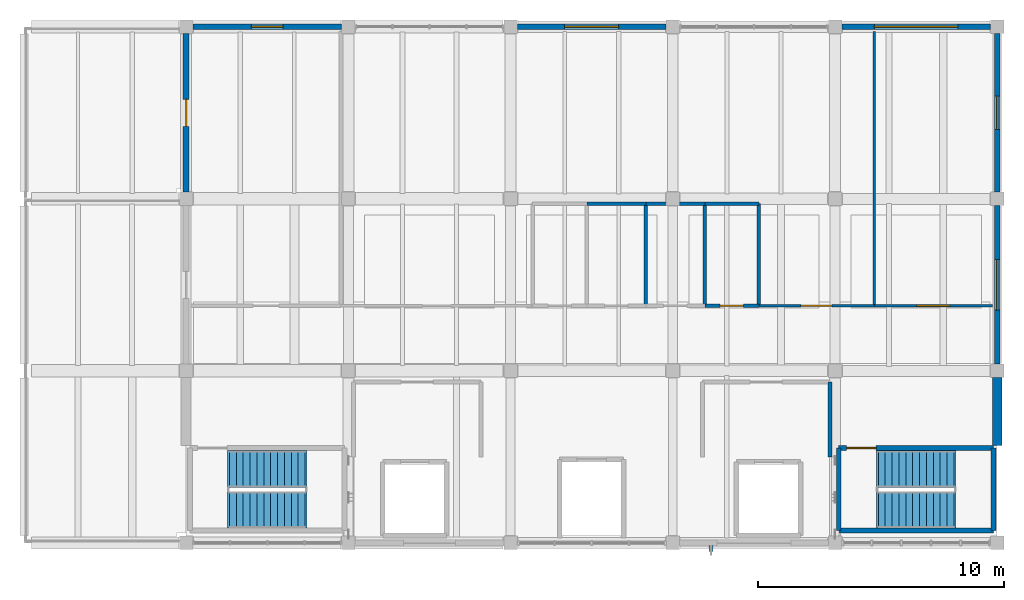
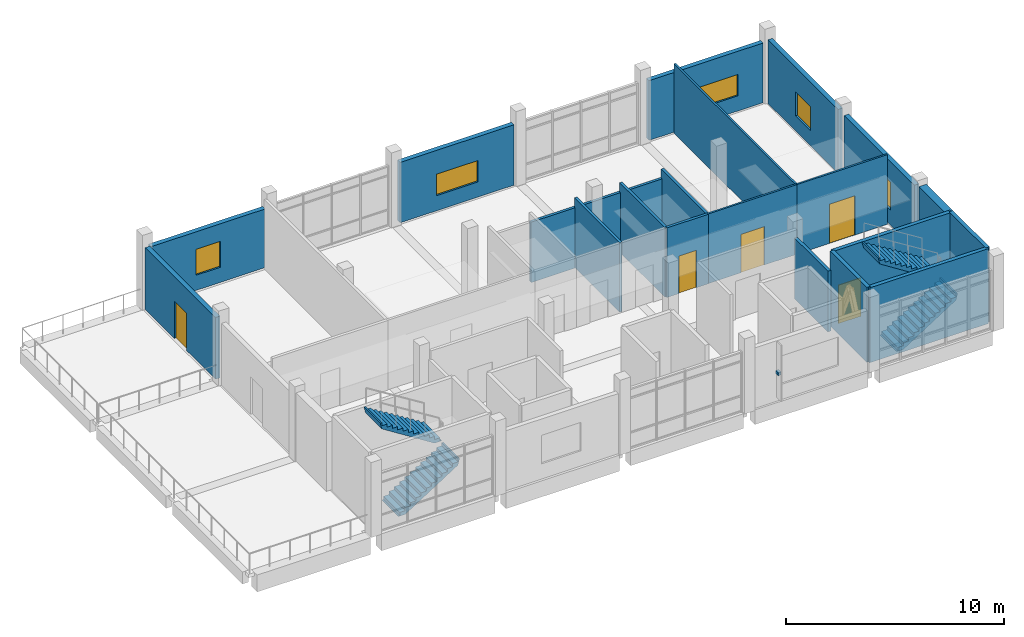
# One storey, part 9 of 12: 22 walls, 5 doors, 5 windows, 4 stair flights, 1 discrete accessory, 10 openings, 2 elements without a shape of their own.
"""IFC4 building model written with IfcOpenShell, lengths in metres."""

from ifc_helpers import new_model, si_unit, direction, frame, frame_2d, origin, origin_2d, place, context, subcontext, project, spatial, polyline, rectangle, outline, extrude, material, layer, layer_set, type_object, element, fill, aggregate, save


model = new_model("IFC4")

# Units and contexts
model_context = context("Model", 3, precision=1e-05, world=origin(), true_north=direction((0.0, 1.0)))
body_context = subcontext(model_context, "Body", "Model", "MODEL_VIEW")
ifc_project = project(units=[si_unit("LENGTHUNIT", "METRE"), si_unit("AREAUNIT", "SQUARE_METRE"), si_unit("VOLUMEUNIT", "CUBIC_METRE"), si_unit("PLANEANGLEUNIT", "RADIAN"), si_unit("MASSUNIT", "GRAM", prefix="KILO")], contexts=[model_context])

# Site, building, storey
site_placement = place(None, origin())
site = spatial("IfcSite", under=ifc_project, at=site_placement, CompositionType="ELEMENT")
building_placement = place(site_placement, origin())
building = spatial("IfcBuilding", under=site, at=building_placement, Name="Ciguamira Faculty of Natural Sciences", CompositionType="ELEMENT")
storey_placement = place(building_placement, frame((0.0, 0.0, 37.800048828125)))
storey = spatial("IfcBuildingStorey", under=building, at=storey_placement, Name="L09", CompositionType="ELEMENT", Elevation=37.800048828125)

# Wall, opening, window
ifc_material_1 = material(Name="Precast concrete C40/50", Category="concrete")
ifc_layer_1 = layer(ifc_material_1, 0.239990234375, Name="Precast concrete C40/50")
ifc_layer_set_1 = layer_set([ifc_layer_1], Name="Precast concrete C40/50")
wall_type_1 = type_object("IfcWallType", Name="ExtWall_EW-02_240", PredefinedType="SOLIDWALL", material=ifc_layer_set_1)
wall_1_placement = place(storey_placement, frame((70.77490234375, 115.0, 0.0), z_axis=(0.0, 0.0, 1.0), x_axis=(1.0, 0.0, 0.0)))
wall_1 = element("IfcWall", 1, at=wall_1_placement, inside=storey, type_object=wall_type_1, Name="L09 exterior wall 0387", PredefinedType="SOLIDWALL", context=body_context, shape_type="SweptSolid", body=[
    extrude(rectangle(XDim=6.050048828125, YDim=0.239990234375, at=frame_2d((3.02490234375, 0.0))), origin(), (0.0, 0.0, 1.0), 3.284912109375),
])
opening_1_placement = place(wall_1_placement, frame((2.375, 0.0, 0.85009765625)))
opening_1 = element("IfcOpeningElement", 2, at=opening_1_placement, cuts=wall_1, Name="Opening WT-28", PredefinedType="OPENING", context=body_context, shape_type="SweptSolid", body=[
    extrude(rectangle(XDim=1.300048828125, YDim=1.449951171875, at=frame_2d((0.64990234375, 0.72509765625))), frame((0.0, 0.1298828125, 0.0), z_axis=(0.0, -1.0, 0.0), x_axis=(1.0, 0.0, 0.0)), (0.0, 0.0, 1.0), 0.260009765625),
])
ifc_material_2 = material(Name="Hurricane laminated solar glass", Category="glass")
window_type_1 = type_object("IfcWindowType", Name="Window_WT-28_1300x1450", PartitioningType="DOUBLE_PANEL_VERTICAL", PredefinedType="WINDOW", material=ifc_material_2)
window_1_placement = place(opening_1_placement, origin())
window_1 = element("IfcWindow", 3, at=window_1_placement, inside=storey, type_object=window_type_1, Name="L09 facade window 0273", OverallHeight=1.449951171875, OverallWidth=1.300048828125, PartitioningType="SINGLE_PANEL", PredefinedType="WINDOW", context=body_context, shape_type="SweptSolid", body=[
    extrude(rectangle(XDim=1.300048828125, YDim=1.449951171875, at=frame_2d((0.64990234375, 0.72509765625))), frame((0.0, 0.030029296875, 0.0), z_axis=(0.0, -1.0, 0.0), x_axis=(1.0, 0.0, 0.0)), (0.0, 0.0, 1.0), 0.06005859375),
])
fill(opening_1, window_1)

wall_2_placement = place(storey_placement, frame((83.97509765625, 115.0, 0.0), z_axis=(0.0, 0.0, 1.0), x_axis=(1.0, 0.0, 0.0)))
wall_2 = element("IfcWall", 4, at=wall_2_placement, inside=storey, type_object=wall_type_1, Name="L09 exterior wall 0388", PredefinedType="SOLIDWALL", context=body_context, shape_type="SweptSolid", body=[
    extrude(rectangle(XDim=6.0498046875, YDim=0.239990234375, at=frame_2d((3.02490234375, 0.0))), origin(), (0.0, 0.0, 1.0), 3.385009765625),
])
opening_2_placement = place(wall_2_placement, frame((1.925048828125, 0.0, 0.85009765625)))
opening_2 = element("IfcOpeningElement", 5, at=opening_2_placement, cuts=wall_2, Name="Opening WT-31", PredefinedType="OPENING", context=body_context, shape_type="SweptSolid", body=[
    extrude(rectangle(XDim=2.199951171875, YDim=1.199951171875, at=frame_2d((1.10009765625, 0.60009765625))), frame((0.0, 0.1298828125, 0.0), z_axis=(0.0, -1.0, 0.0), x_axis=(1.0, 0.0, 0.0)), (0.0, 0.0, 1.0), 0.260009765625),
])
window_type_2 = type_object("IfcWindowType", Name="Window_WT-31_2200x1200", PartitioningType="DOUBLE_PANEL_VERTICAL", PredefinedType="WINDOW", material=ifc_material_2)
window_2_placement = place(opening_2_placement, origin())
window_2 = element("IfcWindow", 6, at=window_2_placement, inside=storey, type_object=window_type_2, Name="L09 facade window 0274", OverallHeight=1.199951171875, OverallWidth=2.199951171875, PartitioningType="SINGLE_PANEL", PredefinedType="WINDOW", context=body_context, shape_type="SweptSolid", body=[
    extrude(rectangle(XDim=2.199951171875, YDim=1.199951171875, at=frame_2d((1.10009765625, 0.60009765625))), frame((0.0, 0.030029296875, 0.0), z_axis=(0.0, -1.0, 0.0), x_axis=(1.0, 0.0, 0.0)), (0.0, 0.0, 1.0), 0.06005859375),
])
fill(opening_2, window_2)

wall_3_placement = place(storey_placement, frame((97.175048828125, 115.0, 0.0), z_axis=(0.0, 0.0, 1.0), x_axis=(1.0, 0.0, 0.0)))
wall_3 = element("IfcWall", 7, at=wall_3_placement, inside=storey, type_object=wall_type_1, Name="L09 exterior wall 0389", PredefinedType="SOLIDWALL", context=body_context, shape_type="SweptSolid", body=[
    extrude(rectangle(XDim=6.050048828125, YDim=0.239990234375, at=frame_2d((3.02490234375, 0.0))), origin(), (0.0, 0.0, 1.0), 3.344970703125),
])
opening_3_placement = place(wall_3_placement, frame((1.324951171875, 0.0, 0.85009765625)))
opening_3 = element("IfcOpeningElement", 8, at=opening_3_placement, cuts=wall_3, Name="Opening WT-34", PredefinedType="OPENING", context=body_context, shape_type="SweptSolid", body=[
    extrude(rectangle(XDim=3.39990234375, YDim=1.199951171875, at=frame_2d((1.699951171875, 0.60009765625))), frame((0.0, 0.1298828125, 0.0), z_axis=(0.0, -1.0, 0.0), x_axis=(1.0, 0.0, 0.0)), (0.0, 0.0, 1.0), 0.260009765625),
])
window_type_3 = type_object("IfcWindowType", Name="Window_WT-34_3400x1200", PartitioningType="DOUBLE_PANEL_VERTICAL", PredefinedType="WINDOW", material=ifc_material_2)
window_3_placement = place(opening_3_placement, origin())
window_3 = element("IfcWindow", 9, at=window_3_placement, inside=storey, type_object=window_type_3, Name="L09 facade window 0275", OverallHeight=1.199951171875, OverallWidth=3.39990234375, PartitioningType="SINGLE_PANEL", PredefinedType="WINDOW", context=body_context, shape_type="SweptSolid", body=[
    extrude(rectangle(XDim=3.39990234375, YDim=1.199951171875, at=frame_2d((1.699951171875, 0.60009765625))), frame((0.0, 0.030029296875, 0.0), z_axis=(0.0, -1.0, 0.0), x_axis=(1.0, 0.0, 0.0)), (0.0, 0.0, 1.0), 0.06005859375),
])
fill(opening_3, window_3)

# Wall, opening, door
wall_4_placement = place(storey_placement, frame((70.5, 108.27490234375, 0.0), z_axis=(0.0, 0.0, 1.0), x_axis=(0.0, 1.0, 0.0)))
wall_4 = element("IfcWall", 10, at=wall_4_placement, inside=storey, type_object=wall_type_1, Name="L09 exterior wall 0392", PredefinedType="SOLIDWALL", context=body_context, shape_type="SweptSolid", body=[
    extrude(rectangle(XDim=6.4501953125, YDim=0.239990234375, at=frame_2d((3.22509765625, 0.0))), origin(), (0.0, 0.0, 1.0), 3.46484375),
])
opening_4_placement = place(wall_4_placement, frame((2.675048828125, 0.0, 0.0)))
opening_4 = element("IfcOpeningElement", 11, at=opening_4_placement, cuts=wall_4, Name="Opening ED-07", PredefinedType="OPENING", context=body_context, shape_type="SweptSolid", body=[
    extrude(rectangle(XDim=1.10009765625, YDim=2.10009765625, at=frame_2d((0.550048828125, 1.050048828125))), frame((0.0, 0.1298828125, 0.0), z_axis=(0.0, -1.0, 0.0), x_axis=(1.0, 0.0, 0.0)), (0.0, 0.0, 1.0), 0.260009765625),
])
ifc_material_3 = material(Name="Balcony single access door")
door_type_1 = type_object("IfcDoorType", Name="ExtDoor_ED-07_1100x2100", OperationType="NOTDEFINED", PredefinedType="DOOR", material=ifc_material_3)
door_1_placement = place(opening_4_placement, origin())
door_1 = element("IfcDoor", 12, at=door_1_placement, inside=storey, type_object=door_type_1, Name="Upper North-West Sky Terrace Door", OperationType="SINGLE_SWING_LEFT", OverallHeight=2.10009765625, OverallWidth=1.10009765625, PredefinedType="DOOR", context=body_context, shape_type="SweptSolid", body=[
    extrude(rectangle(XDim=1.10009765625, YDim=2.10009765625, at=frame_2d((0.550048828125, 1.050048828125))), frame((0.0, 0.02490234375, 0.0), z_axis=(0.0, -1.0, 0.0), x_axis=(1.0, 0.0, 0.0)), (0.0, 0.0, 1.0), 0.050048828125),
])
fill(opening_4, door_1)

# Wall, opening, window
wall_5_placement = place(storey_placement, frame((103.5, 101.27490234375, 0.0), z_axis=(0.0, 0.0, 1.0), x_axis=(0.0, 1.0, 0.0)))
wall_5 = element("IfcWall", 13, at=wall_5_placement, inside=storey, type_object=wall_type_1, Name="L09 exterior wall 0394", PredefinedType="SOLIDWALL", context=body_context, shape_type="SweptSolid", body=[
    extrude(rectangle(XDim=6.4501953125, YDim=0.239990234375, at=frame_2d((3.22509765625, 0.0))), origin(), (0.0, 0.0, 1.0), 3.56494140625),
])
opening_5_placement = place(wall_5_placement, frame((2.199951171875, 0.0, 0.85009765625)))
opening_5 = element("IfcOpeningElement", 14, at=opening_5_placement, cuts=wall_5, Name="Opening WT-40", PredefinedType="OPENING", context=body_context, shape_type="SweptSolid", body=[
    extrude(rectangle(XDim=2.050048828125, YDim=1.550048828125, at=frame_2d((1.02490234375, 0.77490234375))), frame((0.0, 0.1298828125, 0.0), z_axis=(0.0, -1.0, 0.0), x_axis=(1.0, 0.0, 0.0)), (0.0, 0.0, 1.0), 0.260009765625),
])
window_type_4 = type_object("IfcWindowType", Name="Window_WT-40_2050x1550", PartitioningType="DOUBLE_PANEL_VERTICAL", PredefinedType="WINDOW", material=ifc_material_2)
window_4_placement = place(opening_5_placement, origin())
window_4 = element("IfcWindow", 15, at=window_4_placement, inside=storey, type_object=window_type_4, Name="L09 facade window 0276", OverallHeight=1.550048828125, OverallWidth=2.050048828125, PartitioningType="SINGLE_PANEL", PredefinedType="WINDOW", context=body_context, shape_type="SweptSolid", body=[
    extrude(rectangle(XDim=2.050048828125, YDim=1.550048828125, at=frame_2d((1.02490234375, 0.77490234375))), frame((0.0, 0.030029296875, 0.0), z_axis=(0.0, -1.0, 0.0), x_axis=(1.0, 0.0, 0.0)), (0.0, 0.0, 1.0), 0.06005859375),
])
fill(opening_5, window_4)

wall_6_placement = place(storey_placement, frame((103.5, 108.27490234375, 0.0), z_axis=(0.0, 0.0, 1.0), x_axis=(0.0, 1.0, 0.0)))
wall_6 = element("IfcWall", 16, at=wall_6_placement, inside=storey, type_object=wall_type_1, Name="L09 exterior wall 0395", PredefinedType="SOLIDWALL", context=body_context, shape_type="SweptSolid", body=[
    extrude(rectangle(XDim=6.4501953125, YDim=0.239990234375, at=frame_2d((3.22509765625, 0.0))), origin(), (0.0, 0.0, 1.0), 3.56494140625),
])
opening_6_placement = place(wall_6_placement, frame((2.550048828125, 0.0, 0.85009765625)))
opening_6 = element("IfcOpeningElement", 17, at=opening_6_placement, cuts=wall_6, Name="Opening WT-02", PredefinedType="OPENING", context=body_context, shape_type="SweptSolid", body=[
    extrude(rectangle(XDim=1.35009765625, YDim=1.35009765625, at=frame_2d((0.675048828125, 0.675048828125))), frame((0.0, 0.1298828125, 0.0), z_axis=(0.0, -1.0, 0.0), x_axis=(1.0, 0.0, 0.0)), (0.0, 0.0, 1.0), 0.260009765625),
])
window_type_5 = type_object("IfcWindowType", Name="Window_WT-02_1350x1350", PartitioningType="DOUBLE_PANEL_VERTICAL", PredefinedType="WINDOW", material=ifc_material_2)
window_5_placement = place(opening_6_placement, origin())
window_5 = element("IfcWindow", 18, at=window_5_placement, inside=storey, type_object=window_type_5, Name="L09 facade window 0277", OverallHeight=1.35009765625, OverallWidth=1.35009765625, PartitioningType="SINGLE_PANEL", PredefinedType="WINDOW", context=body_context, shape_type="SweptSolid", body=[
    extrude(rectangle(XDim=1.35009765625, YDim=1.35009765625, at=frame_2d((0.675048828125, 0.675048828125))), frame((0.0, 0.030029296875, 0.0), z_axis=(0.0, -1.0, 0.0), x_axis=(1.0, 0.0, 0.0)), (0.0, 0.0, 1.0), 0.06005859375),
])
fill(opening_6, window_5)

# Walls
ifc_material_4 = material(Name="Concrete C40/50", Category="concrete")
ifc_layer_2 = layer(ifc_material_4, 0.39990234375, Name="Concrete C40/50")
ifc_layer_set_2 = layer_set([ifc_layer_2], Name="Concrete C40/50")
wall_type_2 = type_object("IfcWallType", Name="ExtWall_RW-02_400", PredefinedType="SHEAR", material=ifc_layer_set_2)
wall_7_placement = place(storey_placement, frame((103.5, 97.9599609375, 0.0), z_axis=(0.0, 0.0, 1.0), x_axis=(0.0, 1.0, 0.0)))
element("IfcWall", 19, at=wall_7_placement, inside=storey, type_object=wall_type_2, Name="L09 exterior wall 0393", PredefinedType="SHEAR", context=body_context, shape_type="SweptSolid", body=[
    extrude(rectangle(XDim=2.76513671875, YDim=0.39990234375, at=frame_2d((1.382568359375, 0.0))), origin(), (0.0, 0.0, 1.0), 3.849853515625),
])
ifc_layer_3 = layer(ifc_material_4, 0.199951171875, Name="Concrete C40/50")
ifc_layer_set_3 = layer_set([ifc_layer_3], Name="Concrete C40/50")
wall_type_3 = type_object("IfcWallType", Name="IntWall_CW-S20_200", PredefinedType="SHEAR", material=ifc_layer_set_3)
wall_8_placement = place(storey_placement, frame((97.050048828125, 94.5, 0.0), z_axis=(0.0, 0.0, 1.0), x_axis=(1.0, 0.0, 0.0)))
element("IfcWall", 20, at=wall_8_placement, inside=storey, type_object=wall_type_3, Name="L09 ST-T2 core shear wall south", PredefinedType="SHEAR", context=body_context, shape_type="SweptSolid", body=[
    extrude(rectangle(XDim=6.300048828125, YDim=0.199951171875, at=frame_2d((3.14990234375, 0.0))), origin(), (0.0, 0.0, 1.0), 4.199951171875),
])

# Wall, opening, door
wall_9_placement = place(storey_placement, frame((97.050048828125, 97.860107421875, 0.0), z_axis=(0.0, 0.0, 1.0), x_axis=(1.0, 0.0, 0.0)))
wall_9 = element("IfcWall", 21, at=wall_9_placement, inside=storey, type_object=wall_type_3, Name="L09 ST-T2 core shear wall north", PredefinedType="SHEAR", context=body_context, shape_type="SweptSolid", body=[
    extrude(rectangle(XDim=6.300048828125, YDim=0.199951171875, at=frame_2d((3.14990234375, 0.0))), origin(), (0.0, 0.0, 1.0), 4.199951171875),
])
opening_7_placement = place(wall_9_placement, frame((0.320068359375, 0.0, 0.0)))
opening_7 = element("IfcOpeningElement", 22, at=opening_7_placement, cuts=wall_9, Name="Opening ID-14", PredefinedType="OPENING", context=body_context, shape_type="SweptSolid", body=[
    extrude(rectangle(XDim=1.199951171875, YDim=2.14990234375, at=frame_2d((0.60009765625, 1.074951171875))), frame((0.0, 0.10986328125, 0.0), z_axis=(0.0, -1.0, 0.0), x_axis=(1.0, 0.0, 0.0)), (0.0, 0.0, 1.0), 0.219970703125),
])
ifc_material_5 = material(Name="Protected exit stair fire door")
door_type_2 = type_object("IfcDoorType", Name="IntDoor_ID-14_1200x2150", OperationType="NOTDEFINED", PredefinedType="DOOR", material=ifc_material_5)
door_2_placement = place(opening_7_placement, frame((1.199951171875, 0.0, 0.0), z_axis=(0.0, 0.0, 1.0), x_axis=(-1.0, 0.0, 0.0)))
door_2 = element("IfcDoor", 23, at=door_2_placement, inside=storey, type_object=door_type_2, Name="L09 ST-T2 exit stair fire door", OperationType="SINGLE_SWING_RIGHT", OverallHeight=2.14990234375, OverallWidth=1.199951171875, PredefinedType="DOOR", context=body_context, shape_type="SweptSolid", body=[
    extrude(rectangle(XDim=1.199951171875, YDim=2.14990234375, at=frame_2d((0.60009765625, 1.074951171875))), frame((0.0, 0.02490234375, 0.0), z_axis=(0.0, -1.0, 0.0), x_axis=(1.0, 0.0, 0.0)), (0.0, 0.0, 1.0), 0.050048828125),
])
fill(opening_7, door_2)

# Walls
for number, where, z_axis, x_axis, name in (
    (24, (97.050048828125, 94.5, 0.0), (0.0, 0.0, 1.0), (0.0, 1.0, 0.0), "L09 ST-T2 core shear wall west"),
    (25, (103.35009765625, 94.5, 0.0), (0.0, 0.0, 1.0), (0.0, 1.0, 0.0), "L09 ST-T2 core shear wall east"),
):
    element("IfcWall", number, at=place(storey_placement, frame(where, z_axis=z_axis, x_axis=x_axis)), inside=storey, type_object=wall_type_3, Name=name, PredefinedType="SHEAR", context=body_context, shape_type="SweptSolid", body=[
        extrude(rectangle(XDim=3.360107421875, YDim=0.199951171875, at=frame_2d((1.68017578125, 0.0))), origin(), (0.0, 0.0, 1.0), 4.199951171875),
    ])

# Wall, opening, door
ifc_material_6 = material(Name="Fire-rated gypsum partition")
ifc_layer_4 = layer(ifc_material_6, 0.10009765625, Name="Fire-rated gypsum partition")
ifc_layer_set_4 = layer_set([ifc_layer_4], Name="Fire-rated gypsum partition")
wall_type_4 = type_object("IfcWallType", Name="IntWall_IW-A10_100", PredefinedType="PARTITIONING", material=ifc_layer_set_4)
wall_10_placement = place(storey_placement, frame((93.800048828125, 103.64990234375, 0.0), z_axis=(0.0, 0.0, 1.0), x_axis=(1.0, 0.0, 0.0)))
wall_10 = element("IfcWall", 26, at=wall_10_placement, inside=storey, type_object=wall_type_4, Name="L09 Plant Taxonomy Staff Offices partition south", PredefinedType="PARTITIONING", context=body_context, shape_type="SweptSolid", body=[
    extrude(rectangle(XDim=4.699951171875, YDim=0.10009765625, at=frame_2d((2.35009765625, 0.0))), origin(), (0.0, 0.0, 1.0), 3.89990234375),
])
opening_8_placement = place(wall_10_placement, frame((1.72509765625, 0.0, 0.0)))
opening_8 = element("IfcOpeningElement", 27, at=opening_8_placement, cuts=wall_10, Name="Opening ID-06", PredefinedType="OPENING", context=body_context, shape_type="SweptSolid", body=[
    extrude(rectangle(XDim=1.25, YDim=2.14990234375, at=frame_2d((0.625, 1.074951171875))), frame((0.0, 0.06005859375, 0.0), z_axis=(0.0, -1.0, 0.0), x_axis=(1.0, 0.0, 0.0)), (0.0, 0.0, 1.0), 0.1201171875),
])
ifc_material_7 = material(Name="Instrument room leaf-and-half door")
door_type_3 = type_object("IfcDoorType", Name="IntDoor_ID-06_1250x2150", OperationType="NOTDEFINED", PredefinedType="DOOR", material=ifc_material_7)
door_3_placement = place(opening_8_placement, origin())
door_3 = element("IfcDoor", 28, at=door_3_placement, inside=storey, type_object=door_type_3, Name="L09 Plant Taxonomy Staff Offices door", OperationType="SINGLE_SWING_RIGHT", OverallHeight=2.14990234375, OverallWidth=1.25, PredefinedType="DOOR", context=body_context, shape_type="SweptSolid", body=[
    extrude(rectangle(XDim=1.25, YDim=2.14990234375, at=frame_2d((0.625, 1.074951171875))), frame((0.0, 0.02490234375, 0.0), z_axis=(0.0, -1.0, 0.0), x_axis=(1.0, 0.0, 0.0)), (0.0, 0.0, 1.0), 0.050048828125),
])
fill(opening_8, door_3)

# Wall
wall_11_placement = place(storey_placement, frame((98.5, 103.64990234375, 0.0), z_axis=(0.0, 0.0, 1.0), x_axis=(0.0, 1.0, 0.0)))
element("IfcWall", 29, at=wall_11_placement, inside=storey, type_object=wall_type_4, Name="L09 Plant Taxonomy Staff Offices partition east", PredefinedType="PARTITIONING", context=body_context, shape_type="SweptSolid", body=[
    extrude(rectangle(XDim=11.150146484375, YDim=0.10009765625, at=frame_2d((5.5751953125, 0.0))), origin(), (0.0, 0.0, 1.0), 3.89990234375),
])

# Wall, opening, door
wall_12_placement = place(storey_placement, frame((98.5, 103.64990234375, 0.0), z_axis=(0.0, 0.0, 1.0), x_axis=(1.0, 0.0, 0.0)))
wall_12 = element("IfcWall", 30, at=wall_12_placement, inside=storey, type_object=wall_type_4, Name="L09 Botanical Curation Study Room partition south", PredefinedType="PARTITIONING", context=body_context, shape_type="SweptSolid", body=[
    extrude(rectangle(XDim=4.800048828125, YDim=0.10009765625, at=frame_2d((2.39990234375, 0.0))), origin(), (0.0, 0.0, 1.0), 3.89990234375),
])
opening_9_placement = place(wall_12_placement, frame((1.72509765625, 0.0, 0.0)))
opening_9 = element("IfcOpeningElement", 31, at=opening_9_placement, cuts=wall_12, Name="Opening ID-07", PredefinedType="OPENING", context=body_context, shape_type="SweptSolid", body=[
    extrude(rectangle(XDim=1.35009765625, YDim=2.199951171875, at=frame_2d((0.675048828125, 1.10009765625))), frame((0.0, 0.06005859375, 0.0), z_axis=(0.0, -1.0, 0.0), x_axis=(1.0, 0.0, 0.0)), (0.0, 0.0, 1.0), 0.1201171875),
])
ifc_material_8 = material(Name="Laboratory prep fire door")
door_type_4 = type_object("IfcDoorType", Name="IntDoor_ID-07_1350x2200", OperationType="NOTDEFINED", PredefinedType="DOOR", material=ifc_material_8)
door_4_placement = place(opening_9_placement, origin())
door_4 = element("IfcDoor", 32, at=door_4_placement, inside=storey, type_object=door_type_4, Name="L09 Botanical Curation Study Room door", OperationType="SINGLE_SWING_LEFT", OverallHeight=2.199951171875, OverallWidth=1.35009765625, PredefinedType="DOOR", context=body_context, shape_type="SweptSolid", body=[
    extrude(rectangle(XDim=1.35009765625, YDim=2.199951171875, at=frame_2d((0.675048828125, 1.10009765625))), frame((0.0, 0.02490234375, 0.0), z_axis=(0.0, -1.0, 0.0), x_axis=(1.0, 0.0, 0.0)), (0.0, 0.0, 1.0), 0.050048828125),
])
fill(opening_9, door_4)

# Walls
ifc_material_9 = material(Name="Fire-rated blockwork wall", Category="masonry")
ifc_layer_5 = layer(ifc_material_9, 0.159912109375, Name="Fire-rated blockwork wall")
ifc_layer_set_5 = layer_set([ifc_layer_5], Name="Fire-rated blockwork wall")
wall_type_5 = type_object("IfcWallType", Name="IntWall_IW-F16_160", PredefinedType="SOLIDWALL", material=ifc_layer_set_5)
wall_13_placement = place(storey_placement, frame((96.699951171875, 97.5, 0.0), z_axis=(0.0, 0.0, 1.0), x_axis=(0.0, 1.0, 0.0)))
element("IfcWall", 33, at=wall_13_placement, inside=storey, type_object=wall_type_5, Name="L09 Firefighting Lift Lobby 2 partition east", PredefinedType="SOLIDWALL", context=body_context, shape_type="SweptSolid", body=[
    extrude(rectangle(XDim=3.050048828125, YDim=0.159912109375, at=frame_2d((1.52490234375, 0.0))), origin(), (0.0, 0.0, 1.0), 3.405029296875),
])
ifc_material_10 = material(Name="Moisture-resistant service chase wall")
ifc_layer_6 = layer(ifc_material_10, 0.139892578125, Name="Moisture-resistant service chase wall")
ifc_layer_set_6 = layer_set([ifc_layer_6], Name="Moisture-resistant service chase wall")
wall_type_6 = type_object("IfcWallType", Name="IntWall_IW-P14_140", PredefinedType="PLUMBINGWALL", material=ifc_layer_set_6)
wall_14_placement = place(storey_placement, frame((86.800048828125, 107.800048828125, 0.0), z_axis=(0.0, 0.0, 1.0), x_axis=(1.0, 0.0, 0.0)))
element("IfcWall", 34, at=wall_14_placement, inside=storey, type_object=wall_type_6, Name="L09 Public Restroom Female partition north", PredefinedType="PLUMBINGWALL", context=body_context, shape_type="SweptSolid", body=[
    extrude(rectangle(XDim=2.39990234375, YDim=0.139892578125, at=frame_2d((1.199951171875, 0.0))), origin(), (0.0, 0.0, 1.0), 3.385009765625),
])
wall_15_placement = place(storey_placement, frame((89.199951171875, 103.64990234375, 0.0), z_axis=(0.0, 0.0, 1.0), x_axis=(0.0, 1.0, 0.0)))
element("IfcWall", 35, at=wall_15_placement, inside=storey, type_object=wall_type_6, Name="L09 Public Restroom Female partition east", PredefinedType="PLUMBINGWALL", context=body_context, shape_type="SweptSolid", body=[
    extrude(rectangle(XDim=4.150146484375, YDim=0.139892578125, at=frame_2d((2.0751953125, 0.0))), origin(), (0.0, 0.0, 1.0), 3.89990234375),
])
wall_16_placement = place(storey_placement, frame((89.199951171875, 107.800048828125, 0.0), z_axis=(0.0, 0.0, 1.0), x_axis=(1.0, 0.0, 0.0)))
element("IfcWall", 36, at=wall_16_placement, inside=storey, type_object=wall_type_6, Name="L09 Public Restroom Male partition north", PredefinedType="PLUMBINGWALL", context=body_context, shape_type="SweptSolid", body=[
    extrude(rectangle(XDim=2.400146484375, YDim=0.139892578125, at=frame_2d((1.2001953125, 0.0))), origin(), (0.0, 0.0, 1.0), 3.385009765625),
])
wall_17_placement = place(storey_placement, frame((91.60009765625, 103.64990234375, 0.0), z_axis=(0.0, 0.0, 1.0), x_axis=(0.0, 1.0, 0.0)))
element("IfcWall", 37, at=wall_17_placement, inside=storey, type_object=wall_type_6, Name="L09 Public Restroom Male partition east", PredefinedType="PLUMBINGWALL", context=body_context, shape_type="SweptSolid", body=[
    extrude(rectangle(XDim=4.150146484375, YDim=0.139892578125, at=frame_2d((2.0751953125, 0.0))), origin(), (0.0, 0.0, 1.0), 3.89990234375),
])

# Wall, opening, door
wall_18_placement = place(storey_placement, frame((91.60009765625, 103.64990234375, 0.0), z_axis=(0.0, 0.0, 1.0), x_axis=(1.0, 0.0, 0.0)))
wall_18 = element("IfcWall", 38, at=wall_18_placement, inside=storey, type_object=wall_type_6, Name="L09 Staff Restroom partition south", PredefinedType="PLUMBINGWALL", context=body_context, shape_type="SweptSolid", body=[
    extrude(rectangle(XDim=2.199951171875, YDim=0.139892578125, at=frame_2d((1.10009765625, 0.0))), origin(), (0.0, 0.0, 1.0), 3.89990234375),
])
opening_10_placement = place(wall_18_placement, frame((0.625, 0.0, 0.0)))
opening_10 = element("IfcOpeningElement", 39, at=opening_10_placement, cuts=wall_18, Name="Opening ID-02", PredefinedType="OPENING", context=body_context, shape_type="SweptSolid", body=[
    extrude(rectangle(XDim=0.949951171875, YDim=2.10009765625, at=frame_2d((0.47509765625, 1.050048828125))), frame((0.0, 0.079833984375, 0.0), z_axis=(0.0, -1.0, 0.0), x_axis=(1.0, 0.0, 0.0)), (0.0, 0.0, 1.0), 0.159912109375),
])
ifc_material_11 = material(Name="Accessible WC outward-clear door")
door_type_5 = type_object("IfcDoorType", Name="IntDoor_ID-02_950x2100", OperationType="NOTDEFINED", PredefinedType="DOOR", material=ifc_material_11)
door_5_placement = place(opening_10_placement, origin())
door_5 = element("IfcDoor", 40, at=door_5_placement, inside=storey, type_object=door_type_5, Name="L09 Staff Restroom door", OperationType="SINGLE_SWING_LEFT", OverallHeight=2.10009765625, OverallWidth=0.949951171875, PredefinedType="DOOR", context=body_context, shape_type="SweptSolid", body=[
    extrude(rectangle(XDim=0.949951171875, YDim=2.10009765625, at=frame_2d((0.47509765625, 1.050048828125))), frame((0.0, 0.02490234375, 0.0), z_axis=(0.0, -1.0, 0.0), x_axis=(1.0, 0.0, 0.0)), (0.0, 0.0, 1.0), 0.050048828125),
])
fill(opening_10, door_5)

# Walls
wall_19_placement = place(storey_placement, frame((91.60009765625, 107.800048828125, 0.0), z_axis=(0.0, 0.0, 1.0), x_axis=(1.0, 0.0, 0.0)))
element("IfcWall", 41, at=wall_19_placement, inside=storey, type_object=wall_type_6, Name="L09 Staff Restroom partition north", PredefinedType="PLUMBINGWALL", context=body_context, shape_type="SweptSolid", body=[
    extrude(rectangle(XDim=2.199951171875, YDim=0.139892578125, at=frame_2d((1.10009765625, 0.0))), origin(), (0.0, 0.0, 1.0), 3.385009765625),
])
wall_20_placement = place(storey_placement, frame((93.800048828125, 103.64990234375, 0.0), z_axis=(0.0, 0.0, 1.0), x_axis=(0.0, 1.0, 0.0)))
element("IfcWall", 42, at=wall_20_placement, inside=storey, type_object=wall_type_6, Name="L09 Staff Restroom partition east", PredefinedType="PLUMBINGWALL", context=body_context, shape_type="SweptSolid", body=[
    extrude(rectangle(XDim=4.150146484375, YDim=0.139892578125, at=frame_2d((2.0751953125, 0.0))), origin(), (0.0, 0.0, 1.0), 3.89990234375),
])

# Stair, stair flights
stair_type_1 = type_object("IfcStairType", Name="Stair_STR-01", PredefinedType="HALF_TURN_STAIR", material=ifc_material_4)
stair_1_placement = place(storey_placement, origin())
stair_1 = element("IfcStair", 43, at=stair_1_placement, inside=storey, type_object=stair_type_1, Name="L09 Tower West Exit Stair", PredefinedType="HALF_TURN_STAIR")
stair_flight_type_1 = type_object("IfcStairFlightType", Name="StairFlight_SFL-01", PredefinedType="STRAIGHT", material=ifc_material_1)
stair_flight_1_placement = place(storey_placement, frame((72.260009765625, 95.35009765625, 0.0), z_axis=(0.0, 0.0, 1.0), x_axis=(1.0, 0.0, 0.0)))
stair_flight_1 = element("IfcStairFlight", 44, at=stair_flight_1_placement, type_object=stair_flight_type_1, Name="ST-T1 flight 1", NumberOfRisers=12, NumberOfTreads=11, PredefinedType="STRAIGHT", RiserHeight=0.175, TreadLength=0.28, context=body_context, shape_type="SweptSolid", body=[
    extrude(outline(polyline([(-0.080078125, -0.034912109375), (-0.080078125, 0.0), (0.0, 0.0), (0.0, 0.175048828125), (0.280029296875, 0.175048828125), (0.280029296875, 0.35009765625), (0.56005859375, 0.35009765625), (0.56005859375, 0.52490234375), (0.840087890625, 0.52490234375), (0.840087890625, 0.699951171875), (1.1201171875, 0.699951171875), (1.1201171875, 0.875), (1.39990234375, 0.875), (1.39990234375, 1.050048828125), (1.679931640625, 1.050048828125), (1.679931640625, 1.22509765625), (1.9599609375, 1.22509765625), (1.9599609375, 1.39990234375), (2.239990234375, 1.39990234375), (2.239990234375, 1.574951171875), (2.52001953125, 1.574951171875), (2.52001953125, 1.75), (2.800048828125, 1.75), (2.800048828125, 1.925048828125), (3.080078125, 1.925048828125), (3.080078125, 2.10009765625), (3.16015625, 2.10009765625), (3.16015625, 2.065185546875), (3.080078125, 1.748291015625), (0.28271484375, -0.034912109375), (-0.080078125, -0.034912109375)])), frame((0.0, 0.75, 0.0), z_axis=(0.0, -1.0, 0.0), x_axis=(1.0, 0.0, 0.0)), (0.0, 0.0, 1.0), 1.5),
])
stair_flight_2_placement = place(storey_placement, frame((75.340087890625, 97.010009765625, 2.099853515625), z_axis=(0.0, 0.0, 1.0), x_axis=(-1.0, 0.0, 0.0)))
stair_flight_2 = element("IfcStairFlight", 45, at=stair_flight_2_placement, type_object=stair_flight_type_1, Name="ST-T1 flight 2", NumberOfRisers=12, NumberOfTreads=11, PredefinedType="STRAIGHT", RiserHeight=0.175, TreadLength=0.28, context=body_context, shape_type="SweptSolid", body=[
    extrude(outline(polyline([(-0.080078125, -0.034912109375), (-0.080078125, 0.0), (0.0, 0.0), (0.0, 0.175048828125), (0.280029296875, 0.175048828125), (0.280029296875, 0.35009765625), (0.56005859375, 0.35009765625), (0.56005859375, 0.52490234375), (0.840087890625, 0.52490234375), (0.840087890625, 0.699951171875), (1.1201171875, 0.699951171875), (1.1201171875, 0.875), (1.39990234375, 0.875), (1.39990234375, 1.050048828125), (1.679931640625, 1.050048828125), (1.679931640625, 1.22509765625), (1.9599609375, 1.22509765625), (1.9599609375, 1.39990234375), (2.239990234375, 1.39990234375), (2.239990234375, 1.574951171875), (2.52001953125, 1.574951171875), (2.52001953125, 1.75), (2.800048828125, 1.75), (2.800048828125, 1.925048828125), (3.080078125, 1.925048828125), (3.080078125, 2.10009765625), (3.16015625, 2.10009765625), (3.16015625, 2.065185546875), (3.080078125, 1.748291015625), (0.28271484375, -0.034912109375), (-0.080078125, -0.034912109375)])), frame((0.0, 0.75, 0.0), z_axis=(0.0, -1.0, 0.0), x_axis=(1.0, 0.0, 0.0)), (0.0, 0.0, 1.0), 1.5),
])
aggregate(stair_1, [stair_flight_1, stair_flight_2])

stair_type_2 = type_object("IfcStairType", Name="Stair_STR-02", PredefinedType="HALF_TURN_STAIR", material=ifc_material_4)
stair_2_placement = place(storey_placement, origin())
stair_2 = element("IfcStair", 46, at=stair_2_placement, inside=storey, type_object=stair_type_2, Name="L09 Tower East Exit Stair", PredefinedType="HALF_TURN_STAIR")
stair_flight_type_2 = type_object("IfcStairFlightType", Name="StairFlight_SFL-02", PredefinedType="STRAIGHT", material=ifc_material_1)
stair_flight_3_placement = place(storey_placement, frame((98.659912109375, 95.35009765625, 0.0), z_axis=(0.0, 0.0, 1.0), x_axis=(1.0, 0.0, 0.0)))
stair_flight_3 = element("IfcStairFlight", 47, at=stair_flight_3_placement, type_object=stair_flight_type_2, Name="ST-T2 flight 1", NumberOfRisers=12, NumberOfTreads=11, PredefinedType="STRAIGHT", RiserHeight=0.175, TreadLength=0.28, context=body_context, shape_type="SweptSolid", body=[
    extrude(outline(polyline([(-0.080078125, -0.034912109375), (-0.080078125, 0.0), (0.0, 0.0), (0.0, 0.175048828125), (0.280029296875, 0.175048828125), (0.280029296875, 0.35009765625), (0.56005859375, 0.35009765625), (0.56005859375, 0.52490234375), (0.840087890625, 0.52490234375), (0.840087890625, 0.699951171875), (1.1201171875, 0.699951171875), (1.1201171875, 0.875), (1.39990234375, 0.875), (1.39990234375, 1.050048828125), (1.679931640625, 1.050048828125), (1.679931640625, 1.22509765625), (1.9599609375, 1.22509765625), (1.9599609375, 1.39990234375), (2.239990234375, 1.39990234375), (2.239990234375, 1.574951171875), (2.52001953125, 1.574951171875), (2.52001953125, 1.75), (2.800048828125, 1.75), (2.800048828125, 1.925048828125), (3.080078125, 1.925048828125), (3.080078125, 2.10009765625), (3.16015625, 2.10009765625), (3.16015625, 2.065185546875), (3.080078125, 1.748291015625), (0.28271484375, -0.034912109375), (-0.080078125, -0.034912109375)])), frame((0.0, 0.75, 0.0), z_axis=(0.0, -1.0, 0.0), x_axis=(1.0, 0.0, 0.0)), (0.0, 0.0, 1.0), 1.5),
])
stair_flight_4_placement = place(storey_placement, frame((101.739990234375, 97.010009765625, 2.099853515625), z_axis=(0.0, 0.0, 1.0), x_axis=(-1.0, 0.0, 0.0)))
stair_flight_4 = element("IfcStairFlight", 48, at=stair_flight_4_placement, type_object=stair_flight_type_2, Name="ST-T2 flight 2", NumberOfRisers=12, NumberOfTreads=11, PredefinedType="STRAIGHT", RiserHeight=0.175, TreadLength=0.28, context=body_context, shape_type="SweptSolid", body=[
    extrude(outline(polyline([(-0.080078125, -0.034912109375), (-0.080078125, 0.0), (0.0, 0.0), (0.0, 0.175048828125), (0.280029296875, 0.175048828125), (0.280029296875, 0.35009765625), (0.56005859375, 0.35009765625), (0.56005859375, 0.52490234375), (0.840087890625, 0.52490234375), (0.840087890625, 0.699951171875), (1.1201171875, 0.699951171875), (1.1201171875, 0.875), (1.39990234375, 0.875), (1.39990234375, 1.050048828125), (1.679931640625, 1.050048828125), (1.679931640625, 1.22509765625), (1.9599609375, 1.22509765625), (1.9599609375, 1.39990234375), (2.239990234375, 1.39990234375), (2.239990234375, 1.574951171875), (2.52001953125, 1.574951171875), (2.52001953125, 1.75), (2.800048828125, 1.75), (2.800048828125, 1.925048828125), (3.080078125, 1.925048828125), (3.080078125, 2.10009765625), (3.16015625, 2.10009765625), (3.16015625, 2.065185546875), (3.080078125, 1.748291015625), (0.28271484375, -0.034912109375), (-0.080078125, -0.034912109375)])), frame((0.0, 0.75, 0.0), z_axis=(0.0, -1.0, 0.0), x_axis=(1.0, 0.0, 0.0)), (0.0, 0.0, 1.0), 1.5),
])
aggregate(stair_2, [stair_flight_3, stair_flight_4])

# Discrete accessory
ifc_material_12 = material(Name="Stainless steel fixing bracket", Category="steel")
discrete_accessory_type = type_object("IfcDiscreteAccessoryType", Name="FacadeBracket_BK01", PredefinedType="BRACKET", material=ifc_material_12)
discrete_accessory_placement = place(storey_placement, frame((91.85009765625, 93.780029296875, 1.56982421875), z_axis=(0.0, 0.0, 1.0), x_axis=(1.0, 0.0, 0.0)))
element("IfcDiscreteAccessory", 49, at=discrete_accessory_placement, inside=storey, type_object=discrete_accessory_type, Name="L09 sunshade fixing bracket 0037", PredefinedType="BRACKET", context=body_context, shape_type="SweptSolid", body=[
    extrude(rectangle(XDim=0.159912109375, YDim=0.239990234375, at=origin_2d()), origin(), (0.0, 0.0, 1.0), 0.159912109375),
])

save(model, "model.ifc")
